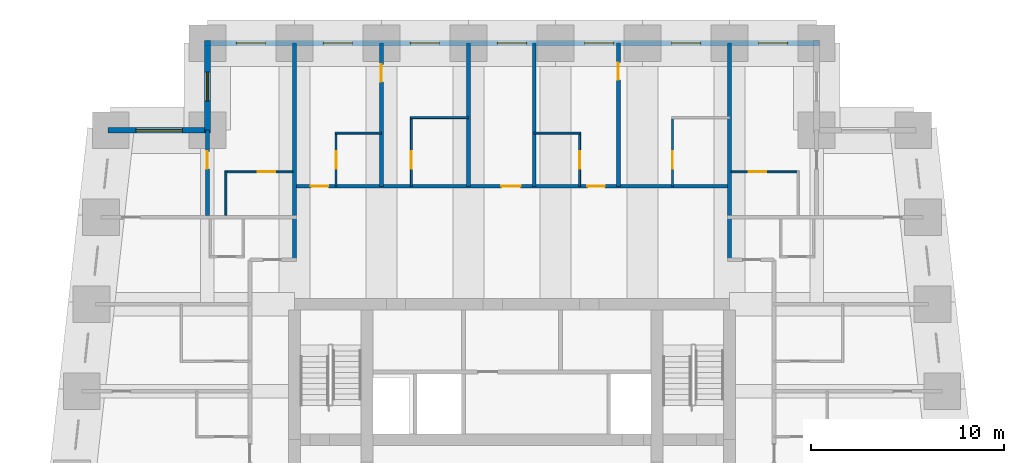
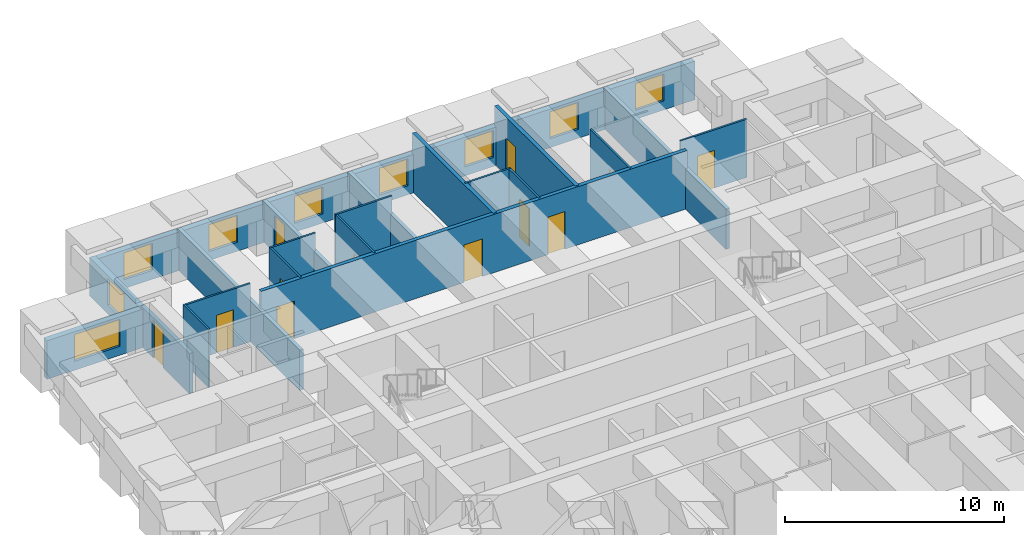
# One storey, part 6 of 8: 21 walls, 12 doors, 9 windows, 21 openings.
"""IFC4 building model written with IfcOpenShell, lengths in metres."""

from ifc_helpers import new_model, si_unit, direction, frame, frame_2d, origin, place, context, subcontext, project, spatial, rectangle, extrude, material, layer, layer_set, type_object, element, fill, save


model = new_model("IFC4")

# Units and contexts
model_context = context("Model", 3, precision=1e-05, world=origin(), true_north=direction((0.0, 1.0)))
body_context = subcontext(model_context, "Body", "Model", "MODEL_VIEW")
ifc_project = project(units=[si_unit("LENGTHUNIT", "METRE"), si_unit("AREAUNIT", "SQUARE_METRE"), si_unit("VOLUMEUNIT", "CUBIC_METRE"), si_unit("PLANEANGLEUNIT", "RADIAN"), si_unit("MASSUNIT", "GRAM", prefix="KILO")], contexts=[model_context])

# Site, building, storey
site_placement = place(None, origin())
site = spatial("IfcSite", under=ifc_project, at=site_placement, CompositionType="ELEMENT")
building_placement = place(site_placement, origin())
building = spatial("IfcBuilding", under=site, at=building_placement, Name="Kilele Tower Hotel", CompositionType="ELEMENT")
storey_placement = place(building_placement, frame((0.0, 0.0, 138.89990234375)))
storey = spatial("IfcBuildingStorey", under=building, at=storey_placement, Name="L36", CompositionType="ELEMENT", Elevation=138.89990234375)

# Wall
ifc_material_1 = material(Name="Moisture-resistant board")
ifc_layer_1 = layer(ifc_material_1, 0.10009765625)
ifc_layer_set_1 = layer_set([ifc_layer_1], Name="Moisture-resistant board")
wall_type_1 = type_object("IfcWallType", Name="Bathroom partition 100", PredefinedType="PLUMBINGWALL", material=ifc_layer_set_1)
wall_1_placement = place(storey_placement, frame((15.60009765625, 35.85009765625, 0.0), z_axis=(0.0, 0.0, 1.0), x_axis=(1.0, 0.0, 0.0)))
element("IfcWall", 1, at=wall_1_placement, inside=storey, type_object=wall_type_1, Name="Bathroom partition 100 L36", PredefinedType="PLUMBINGWALL", context=body_context, shape_type="SweptSolid", body=[
    extrude(rectangle(XDim=2.39990234375, YDim=0.10009765625, at=frame_2d((1.199951171875, 0.0))), origin(), (0.0, 0.0, 1.0), 3.25),
])

# Wall, opening, door
wall_2_placement = place(storey_placement, frame((15.64990234375, 33.10009765625, 0.0), z_axis=(0.0, 0.0, 1.0), x_axis=(0.0, 1.0, 0.0)))
wall_2 = element("IfcWall", 2, at=wall_2_placement, inside=storey, type_object=wall_type_1, Name="Bathroom partition 100 L36", PredefinedType="PLUMBINGWALL", context=body_context, shape_type="SweptSolid", body=[
    extrude(rectangle(XDim=2.7998046875, YDim=0.10009765625, at=frame_2d((1.39990234375, 0.0))), origin(), (0.0, 0.0, 1.0), 3.25),
])
opening_1_placement = place(wall_2_placement, frame((0.89990234375, 0.0, 0.0)))
opening_1 = element("IfcOpeningElement", 3, at=opening_1_placement, cuts=wall_2, Name="Opening D2A", PredefinedType="OPENING", context=body_context, shape_type="SweptSolid", body=[
    extrude(rectangle(XDim=0.89990234375, YDim=2.10009765625, at=frame_2d((0.449951171875, 1.050048828125))), frame((0.0, 0.06005859375, 0.0), z_axis=(0.0, -1.0, 0.0), x_axis=(1.0, 0.0, 0.0)), (0.0, 0.0, 1.0), 0.1201171875),
])
ifc_material_2 = material(Name="Timber door leaf in hardwood frame", Category="wood")
door_type_1 = type_object("IfcDoorType", Name="Bathroom door 900", OperationType="SINGLE_SWING_LEFT", PredefinedType="DOOR", material=ifc_material_2)
door_1_placement = place(opening_1_placement, origin())
door_1 = element("IfcDoor", 4, at=door_1_placement, inside=storey, type_object=door_type_1, Name="Bathroom door 3609B", OperationType="SINGLE_SWING_LEFT", OverallHeight=2.10009765625, OverallWidth=0.89990234375, PredefinedType="DOOR", context=body_context, shape_type="SweptSolid", body=[
    extrude(rectangle(XDim=0.89990234375, YDim=2.10009765625, at=frame_2d((0.449951171875, 1.050048828125))), frame((0.0, 0.02490234375, 0.0), z_axis=(0.0, -1.0, 0.0), x_axis=(1.0, 0.0, 0.0)), (0.0, 0.0, 1.0), 0.050048828125),
])
fill(opening_1, door_1)

# Wall
wall_3_placement = place(storey_placement, frame((19.5, 36.64990234375, 0.0), z_axis=(0.0, 0.0, 1.0), x_axis=(1.0, 0.0, 0.0)))
element("IfcWall", 5, at=wall_3_placement, inside=storey, type_object=wall_type_1, Name="Bathroom partition 100 L36", PredefinedType="PLUMBINGWALL", context=body_context, shape_type="SweptSolid", body=[
    extrude(rectangle(XDim=3.0, YDim=0.10009765625, at=frame_2d((1.5, 0.0))), origin(), (0.0, 0.0, 1.0), 3.25),
])

# Wall, opening, door
wall_4_placement = place(storey_placement, frame((19.550048828125, 33.10009765625, 0.0), z_axis=(0.0, 0.0, 1.0), x_axis=(0.0, 1.0, 0.0)))
wall_4 = element("IfcWall", 6, at=wall_4_placement, inside=storey, type_object=wall_type_1, Name="Bathroom partition 100 L36", PredefinedType="PLUMBINGWALL", context=body_context, shape_type="SweptSolid", body=[
    extrude(rectangle(XDim=3.599853515625, YDim=0.10009765625, at=frame_2d((1.7998046875, 0.0))), origin(), (0.0, 0.0, 1.0), 3.25),
])
opening_2_placement = place(wall_4_placement, frame((0.89990234375, 0.0, 0.0)))
opening_2 = element("IfcOpeningElement", 7, at=opening_2_placement, cuts=wall_4, Name="Opening D2A", PredefinedType="OPENING", context=body_context, shape_type="SweptSolid", body=[
    extrude(rectangle(XDim=0.89990234375, YDim=2.10009765625, at=frame_2d((0.449951171875, 1.050048828125))), frame((0.0, 0.06005859375, 0.0), z_axis=(0.0, -1.0, 0.0), x_axis=(1.0, 0.0, 0.0)), (0.0, 0.0, 1.0), 0.1201171875),
])
door_2_placement = place(opening_2_placement, origin())
door_2 = element("IfcDoor", 8, at=door_2_placement, inside=storey, type_object=door_type_1, Name="Bathroom door 3610B", OperationType="SINGLE_SWING_LEFT", OverallHeight=2.10009765625, OverallWidth=0.89990234375, PredefinedType="DOOR", context=body_context, shape_type="SweptSolid", body=[
    extrude(rectangle(XDim=0.89990234375, YDim=2.10009765625, at=frame_2d((0.449951171875, 1.050048828125))), frame((0.0, 0.02490234375, 0.0), z_axis=(0.0, -1.0, 0.0), x_axis=(1.0, 0.0, 0.0)), (0.0, 0.0, 1.0), 0.050048828125),
])
fill(opening_2, door_2)

# Wall
wall_5_placement = place(storey_placement, frame((25.89990234375, 35.85009765625, 0.0), z_axis=(0.0, 0.0, 1.0), x_axis=(1.0, 0.0, 0.0)))
element("IfcWall", 9, at=wall_5_placement, inside=storey, type_object=wall_type_1, Name="Bathroom partition 100 L36", PredefinedType="PLUMBINGWALL", context=body_context, shape_type="SweptSolid", body=[
    extrude(rectangle(XDim=2.400146484375, YDim=0.10009765625, at=frame_2d((1.2001953125, 0.0))), origin(), (0.0, 0.0, 1.0), 3.25),
])

# Wall, opening, door
wall_6_placement = place(storey_placement, frame((28.25, 33.10009765625, 0.0), z_axis=(0.0, 0.0, 1.0), x_axis=(0.0, 1.0, 0.0)))
wall_6 = element("IfcWall", 10, at=wall_6_placement, inside=storey, type_object=wall_type_1, Name="Bathroom partition 100 L36", PredefinedType="PLUMBINGWALL", context=body_context, shape_type="SweptSolid", body=[
    extrude(rectangle(XDim=2.7998046875, YDim=0.10009765625, at=frame_2d((1.39990234375, 0.0))), origin(), (0.0, 0.0, 1.0), 3.25),
])
opening_3_placement = place(wall_6_placement, frame((1.7998046875, 0.0, 0.0), z_axis=(0.0, 0.0, 1.0), x_axis=(-1.0, 0.0, 0.0)))
opening_3 = element("IfcOpeningElement", 11, at=opening_3_placement, cuts=wall_6, Name="Opening D2A", PredefinedType="OPENING", context=body_context, shape_type="SweptSolid", body=[
    extrude(rectangle(XDim=0.89990234375, YDim=2.10009765625, at=frame_2d((0.449951171875, 1.050048828125))), frame((0.0, 0.06005859375, 0.0), z_axis=(0.0, -1.0, 0.0), x_axis=(1.0, 0.0, 0.0)), (0.0, 0.0, 1.0), 0.1201171875),
])
door_3_placement = place(opening_3_placement, origin())
door_3 = element("IfcDoor", 12, at=door_3_placement, inside=storey, type_object=door_type_1, Name="Bathroom door 3612B", OperationType="SINGLE_SWING_RIGHT", OverallHeight=2.10009765625, OverallWidth=0.89990234375, PredefinedType="DOOR", context=body_context, shape_type="SweptSolid", body=[
    extrude(rectangle(XDim=0.89990234375, YDim=2.10009765625, at=frame_2d((0.449951171875, 1.050048828125))), frame((0.0, 0.02490234375, 0.0), z_axis=(0.0, -1.0, 0.0), x_axis=(1.0, 0.0, 0.0)), (0.0, 0.0, 1.0), 0.050048828125),
])
fill(opening_3, door_3)

wall_7_placement = place(storey_placement, frame((33.050048828125, 33.10009765625, 0.0), z_axis=(0.0, 0.0, 1.0), x_axis=(0.0, 1.0, 0.0)))
wall_7 = element("IfcWall", 13, at=wall_7_placement, inside=storey, type_object=wall_type_1, Name="Bathroom partition 100 L36", PredefinedType="PLUMBINGWALL", context=body_context, shape_type="SweptSolid", body=[
    extrude(rectangle(XDim=3.599853515625, YDim=0.10009765625, at=frame_2d((1.7998046875, 0.0))), origin(), (0.0, 0.0, 1.0), 3.25),
])
opening_4_placement = place(wall_7_placement, frame((0.89990234375, 0.0, 0.0)))
opening_4 = element("IfcOpeningElement", 14, at=opening_4_placement, cuts=wall_7, Name="Opening D2A", PredefinedType="OPENING", context=body_context, shape_type="SweptSolid", body=[
    extrude(rectangle(XDim=0.89990234375, YDim=2.10009765625, at=frame_2d((0.449951171875, 1.050048828125))), frame((0.0, 0.06005859375, 0.0), z_axis=(0.0, -1.0, 0.0), x_axis=(1.0, 0.0, 0.0)), (0.0, 0.0, 1.0), 0.1201171875),
])
door_4_placement = place(opening_4_placement, origin())
door_4 = element("IfcDoor", 15, at=door_4_placement, inside=storey, type_object=door_type_1, Name="Bathroom door 3613B", OperationType="SINGLE_SWING_LEFT", OverallHeight=2.10009765625, OverallWidth=0.89990234375, PredefinedType="DOOR", context=body_context, shape_type="SweptSolid", body=[
    extrude(rectangle(XDim=0.89990234375, YDim=2.10009765625, at=frame_2d((0.449951171875, 1.050048828125))), frame((0.0, 0.02490234375, 0.0), z_axis=(0.0, -1.0, 0.0), x_axis=(1.0, 0.0, 0.0)), (0.0, 0.0, 1.0), 0.050048828125),
])
fill(opening_4, door_4)

wall_8_placement = place(storey_placement, frame((36.10009765625, 33.85009765625, 0.0), z_axis=(0.0, 0.0, 1.0), x_axis=(1.0, 0.0, 0.0)))
wall_8 = element("IfcWall", 16, at=wall_8_placement, inside=storey, type_object=wall_type_1, Name="Bathroom partition 100 L36", PredefinedType="PLUMBINGWALL", context=body_context, shape_type="SweptSolid", body=[
    extrude(rectangle(XDim=3.5, YDim=0.10009765625, at=frame_2d((1.75, 0.0))), origin(), (0.0, 0.0, 1.0), 3.25),
])
opening_5_placement = place(wall_8_placement, frame((0.89990234375, 0.0, 0.0)))
opening_5 = element("IfcOpeningElement", 17, at=opening_5_placement, cuts=wall_8, Name="Opening D2A", PredefinedType="OPENING", context=body_context, shape_type="SweptSolid", body=[
    extrude(rectangle(XDim=0.89990234375, YDim=2.10009765625, at=frame_2d((0.449951171875, 1.050048828125))), frame((0.0, 0.06005859375, 0.0), z_axis=(0.0, -1.0, 0.0), x_axis=(1.0, 0.0, 0.0)), (0.0, 0.0, 1.0), 0.1201171875),
])
door_5_placement = place(opening_5_placement, origin())
door_5 = element("IfcDoor", 18, at=door_5_placement, inside=storey, type_object=door_type_1, Name="Bathroom door 3624B", OperationType="SINGLE_SWING_LEFT", OverallHeight=2.10009765625, OverallWidth=0.89990234375, PredefinedType="DOOR", context=body_context, shape_type="SweptSolid", body=[
    extrude(rectangle(XDim=0.89990234375, YDim=2.10009765625, at=frame_2d((0.449951171875, 1.050048828125))), frame((0.0, 0.02490234375, 0.0), z_axis=(0.0, -1.0, 0.0), x_axis=(1.0, 0.0, 0.0)), (0.0, 0.0, 1.0), 0.050048828125),
])
fill(opening_5, door_5)

# Wall
wall_9_placement = place(storey_placement, frame((9.949951171875, 31.60009765625, 0.0), z_axis=(0.0, 0.0, 1.0), x_axis=(0.0, 1.0, 0.0)))
element("IfcWall", 19, at=wall_9_placement, inside=storey, type_object=wall_type_1, Name="Bathroom partition 100 L36", PredefinedType="PLUMBINGWALL", context=body_context, shape_type="SweptSolid", body=[
    extrude(rectangle(XDim=2.2998046875, YDim=0.10009765625, at=frame_2d((1.14990234375, 0.0))), origin(), (0.0, 0.0, 1.0), 3.25),
])

# Wall, opening, door
wall_10_placement = place(storey_placement, frame((13.39990234375, 33.85009765625, 0.0), z_axis=(0.0, 0.0, 1.0), x_axis=(-1.0, 0.0, 0.0)))
wall_10 = element("IfcWall", 20, at=wall_10_placement, inside=storey, type_object=wall_type_1, Name="Bathroom partition 100 L36", PredefinedType="PLUMBINGWALL", context=body_context, shape_type="SweptSolid", body=[
    extrude(rectangle(XDim=3.5, YDim=0.10009765625, at=frame_2d((1.75, 0.0))), origin(), (0.0, 0.0, 1.0), 3.25),
])
opening_6_placement = place(wall_10_placement, frame((1.7998046875, 0.0, 0.0), z_axis=(0.0, 0.0, 1.0), x_axis=(-1.0, 0.0, 0.0)))
opening_6 = element("IfcOpeningElement", 21, at=opening_6_placement, cuts=wall_10, Name="Opening D2A", PredefinedType="OPENING", context=body_context, shape_type="SweptSolid", body=[
    extrude(rectangle(XDim=0.89990234375, YDim=2.10009765625, at=frame_2d((0.449951171875, 1.050048828125))), frame((0.0, 0.06005859375, 0.0), z_axis=(0.0, -1.0, 0.0), x_axis=(1.0, 0.0, 0.0)), (0.0, 0.0, 1.0), 0.1201171875),
])
door_6_placement = place(opening_6_placement, origin())
door_6 = element("IfcDoor", 22, at=door_6_placement, inside=storey, type_object=door_type_1, Name="Bathroom door 3627B", OperationType="SINGLE_SWING_RIGHT", OverallHeight=2.10009765625, OverallWidth=0.89990234375, PredefinedType="DOOR", context=body_context, shape_type="SweptSolid", body=[
    extrude(rectangle(XDim=0.89990234375, YDim=2.10009765625, at=frame_2d((0.449951171875, 1.050048828125))), frame((0.0, 0.02490234375, 0.0), z_axis=(0.0, -1.0, 0.0), x_axis=(1.0, 0.0, 0.0)), (0.0, 0.0, 1.0), 0.050048828125),
])
fill(opening_6, door_6)

# Wall, openings, doors
ifc_material_3 = material(Name="Blockwork, plastered both sides", Category="masonry")
ifc_layer_2 = layer(ifc_material_3, 0.199951171875)
ifc_layer_set_2 = layer_set([ifc_layer_2], Name="Blockwork, plastered both sides")
wall_type_2 = type_object("IfcWallType", Name="Corridor wall 200", PredefinedType="PARTITIONING", material=ifc_layer_set_2)
wall_11_placement = place(storey_placement, frame((13.5, 33.10009765625, 0.0), z_axis=(0.0, 0.0, 1.0), x_axis=(1.0, 0.0, 0.0)))
wall_11 = element("IfcWall", 23, at=wall_11_placement, inside=storey, type_object=wall_type_2, Name="Corridor wall 200 L36", PredefinedType="PARTITIONING", context=body_context, shape_type="SweptSolid", body=[
    extrude(rectangle(XDim=22.5, YDim=0.199951171875, at=frame_2d((11.25, 0.0))), origin(), (0.0, 0.0, 1.0), 3.25),
])
opening_7_placement = place(wall_11_placement, frame((0.85009765625, 0.0, 0.0)))
opening_7 = element("IfcOpeningElement", 24, at=opening_7_placement, cuts=wall_11, Name="Opening D1", PredefinedType="OPENING", context=body_context, shape_type="SweptSolid", body=[
    extrude(rectangle(XDim=0.89990234375, YDim=2.10009765625, at=frame_2d((0.449951171875, 1.050048828125))), frame((0.0, 0.10986328125, 0.0), z_axis=(0.0, -1.0, 0.0), x_axis=(1.0, 0.0, 0.0)), (0.0, 0.0, 1.0), 0.219970703125),
])
opening_8_placement = place(wall_11_placement, frame((10.699951171875, 0.0, 0.0)))
opening_8 = element("IfcOpeningElement", 25, at=opening_8_placement, cuts=wall_11, Name="Opening D8", PredefinedType="OPENING", context=body_context, shape_type="SweptSolid", body=[
    extrude(rectangle(XDim=1.0, YDim=2.10009765625, at=frame_2d((0.5, 1.050048828125))), frame((0.0, 0.10986328125, 0.0), z_axis=(0.0, -1.0, 0.0), x_axis=(1.0, 0.0, 0.0)), (0.0, 0.0, 1.0), 0.219970703125),
])
opening_9_placement = place(wall_11_placement, frame((15.14990234375, 0.0, 0.0)))
opening_9 = element("IfcOpeningElement", 26, at=opening_9_placement, cuts=wall_11, Name="Opening D1", PredefinedType="OPENING", context=body_context, shape_type="SweptSolid", body=[
    extrude(rectangle(XDim=0.89990234375, YDim=2.10009765625, at=frame_2d((0.449951171875, 1.050048828125))), frame((0.0, 0.10986328125, 0.0), z_axis=(0.0, -1.0, 0.0), x_axis=(1.0, 0.0, 0.0)), (0.0, 0.0, 1.0), 0.219970703125),
])
ifc_material_4 = material(Name="Timber door leaf in hardwood frame", Category="wood")
door_type_2 = type_object("IfcDoorType", Name="Door 1000", OperationType="SINGLE_SWING_LEFT", PredefinedType="DOOR", material=ifc_material_4)
door_7_placement = place(opening_8_placement, origin())
door_7 = element("IfcDoor", 27, at=door_7_placement, inside=storey, type_object=door_type_2, Name="Room entrance 3611", OperationType="SINGLE_SWING_RIGHT", OverallHeight=2.10009765625, OverallWidth=1.0, PredefinedType="DOOR", context=body_context, shape_type="SweptSolid", body=[
    extrude(rectangle(XDim=1.0, YDim=2.10009765625, at=frame_2d((0.5, 1.050048828125))), frame((0.0, 0.02490234375, 0.0), z_axis=(0.0, -1.0, 0.0), x_axis=(1.0, 0.0, 0.0)), (0.0, 0.0, 1.0), 0.050048828125),
])
fill(opening_8, door_7)
ifc_material_5 = material(Name="Timber door leaf in hardwood frame", Category="wood")
door_type_3 = type_object("IfcDoorType", Name="Guest room entrance door 900", OperationType="SINGLE_SWING_LEFT", PredefinedType="DOOR", material=ifc_material_5)
door_8_placement = place(opening_7_placement, origin())
door_8 = element("IfcDoor", 28, at=door_8_placement, inside=storey, type_object=door_type_3, Name="Room entrance 3609", OperationType="SINGLE_SWING_RIGHT", OverallHeight=2.10009765625, OverallWidth=0.89990234375, PredefinedType="DOOR", context=body_context, shape_type="SweptSolid", body=[
    extrude(rectangle(XDim=0.89990234375, YDim=2.10009765625, at=frame_2d((0.449951171875, 1.050048828125))), frame((0.0, 0.02490234375, 0.0), z_axis=(0.0, -1.0, 0.0), x_axis=(1.0, 0.0, 0.0)), (0.0, 0.0, 1.0), 0.050048828125),
])
fill(opening_7, door_8)
door_9_placement = place(opening_9_placement, origin())
door_9 = element("IfcDoor", 29, at=door_9_placement, inside=storey, type_object=door_type_3, Name="Room entrance 3612", OperationType="SINGLE_SWING_LEFT", OverallHeight=2.10009765625, OverallWidth=0.89990234375, PredefinedType="DOOR", context=body_context, shape_type="SweptSolid", body=[
    extrude(rectangle(XDim=0.89990234375, YDim=2.10009765625, at=frame_2d((0.449951171875, 1.050048828125))), frame((0.0, 0.02490234375, 0.0), z_axis=(0.0, -1.0, 0.0), x_axis=(1.0, 0.0, 0.0)), (0.0, 0.0, 1.0), 0.050048828125),
])
fill(opening_9, door_9)

# Wall, opening, door
ifc_material_6 = material(Name="Blockwork, plastered both sides", Category="masonry")
ifc_layer_3 = layer(ifc_material_6, 0.199951171875)
ifc_layer_set_3 = layer_set([ifc_layer_3], Name="Blockwork, plastered both sides")
wall_type_3 = type_object("IfcWallType", Name="Partition wall 200", PredefinedType="PARTITIONING", material=ifc_layer_set_3)
wall_12_placement = place(storey_placement, frame((9.0, 31.60009765625, 0.0), z_axis=(0.0, 0.0, 1.0), x_axis=(0.0, 1.0, 0.0)))
wall_12 = element("IfcWall", 30, at=wall_12_placement, inside=storey, type_object=wall_type_3, Name="Partition wall 200 L36", PredefinedType="PARTITIONING", context=body_context, shape_type="SweptSolid", body=[
    extrude(rectangle(XDim=4.39990234375, YDim=0.199951171875, at=frame_2d((2.199951171875, 0.0))), origin(), (0.0, 0.0, 1.0), 2.25),
])
opening_10_placement = place(wall_12_placement, frame((3.2998046875, 0.0, 0.0), z_axis=(0.0, 0.0, 1.0), x_axis=(-1.0, 0.0, 0.0)))
opening_10 = element("IfcOpeningElement", 31, at=opening_10_placement, cuts=wall_12, Name="Opening D3", PredefinedType="OPENING", context=body_context, shape_type="SweptSolid", body=[
    extrude(rectangle(XDim=0.89990234375, YDim=2.10009765625, at=frame_2d((0.449951171875, 1.050048828125))), frame((0.0, 0.10986328125, 0.0), z_axis=(0.0, -1.0, 0.0), x_axis=(1.0, 0.0, 0.0)), (0.0, 0.0, 1.0), 0.219970703125),
])
ifc_material_7 = material(Name="Timber door leaf in hardwood frame", Category="wood")
door_type_4 = type_object("IfcDoorType", Name="Suite internal door 900", OperationType="SINGLE_SWING_LEFT", PredefinedType="DOOR", material=ifc_material_7)
door_10_placement = place(opening_10_placement, origin())
door_10 = element("IfcDoor", 32, at=door_10_placement, inside=storey, type_object=door_type_4, Name="Suite door 3628", OperationType="SINGLE_SWING_RIGHT", OverallHeight=2.10009765625, OverallWidth=0.89990234375, PredefinedType="DOOR", context=body_context, shape_type="SweptSolid", body=[
    extrude(rectangle(XDim=0.89990234375, YDim=2.10009765625, at=frame_2d((0.449951171875, 1.050048828125))), frame((0.0, 0.02490234375, 0.0), z_axis=(0.0, -1.0, 0.0), x_axis=(1.0, 0.0, 0.0)), (0.0, 0.0, 1.0), 0.050048828125),
])
fill(opening_10, door_10)

ifc_material_8 = material(Name="Blockwork, plastered both sides", Category="masonry")
ifc_layer_4 = layer(ifc_material_8, 0.199951171875)
ifc_layer_set_4 = layer_set([ifc_layer_4], Name="Blockwork, plastered both sides")
wall_type_4 = type_object("IfcWallType", Name="Party wall 200", PredefinedType="PARTITIONING", material=ifc_layer_set_4)
wall_13_placement = place(storey_placement, frame((18.0, 33.10009765625, 0.0), z_axis=(0.0, 0.0, 1.0), x_axis=(0.0, 1.0, 0.0)))
wall_13 = element("IfcWall", 33, at=wall_13_placement, inside=storey, type_object=wall_type_4, Name="Party wall 200 L36", PredefinedType="PARTITIONING", context=body_context, shape_type="SweptSolid", body=[
    extrude(rectangle(XDim=7.39990234375, YDim=0.199951171875, at=frame_2d((3.699951171875, 0.0))), origin(), (0.0, 0.0, 1.0), 2.25),
])
opening_11_placement = place(wall_13_placement, frame((5.39990234375, 0.0, 0.0)))
opening_11 = element("IfcOpeningElement", 34, at=opening_11_placement, cuts=wall_13, Name="Opening D3", PredefinedType="OPENING", context=body_context, shape_type="SweptSolid", body=[
    extrude(rectangle(XDim=0.89990234375, YDim=2.10009765625, at=frame_2d((0.449951171875, 1.050048828125))), frame((0.0, 0.10986328125, 0.0), z_axis=(0.0, -1.0, 0.0), x_axis=(1.0, 0.0, 0.0)), (0.0, 0.0, 1.0), 0.219970703125),
])
door_11_placement = place(opening_11_placement, origin())
door_11 = element("IfcDoor", 35, at=door_11_placement, inside=storey, type_object=door_type_4, Name="Suite door 3610", OperationType="SINGLE_SWING_RIGHT", OverallHeight=2.10009765625, OverallWidth=0.89990234375, PredefinedType="DOOR", context=body_context, shape_type="SweptSolid", body=[
    extrude(rectangle(XDim=0.89990234375, YDim=2.10009765625, at=frame_2d((0.449951171875, 1.050048828125))), frame((0.0, 0.02490234375, 0.0), z_axis=(0.0, -1.0, 0.0), x_axis=(1.0, 0.0, 0.0)), (0.0, 0.0, 1.0), 0.050048828125),
])
fill(opening_11, door_11)

# Walls
wall_14_placement = place(storey_placement, frame((22.5, 33.10009765625, 0.0), z_axis=(0.0, 0.0, 1.0), x_axis=(0.0, 1.0, 0.0)))
element("IfcWall", 36, at=wall_14_placement, inside=storey, type_object=wall_type_4, Name="Party wall 200 L36", PredefinedType="PARTITIONING", context=body_context, shape_type="SweptSolid", body=[
    extrude(rectangle(XDim=7.39990234375, YDim=0.199951171875, at=frame_2d((3.699951171875, 0.0))), origin(), (0.0, 0.0, 1.0), 2.25),
])
wall_15_placement = place(storey_placement, frame((25.89990234375, 33.10009765625, 0.0), z_axis=(0.0, 0.0, 1.0), x_axis=(0.0, 1.0, 0.0)))
element("IfcWall", 37, at=wall_15_placement, inside=storey, type_object=wall_type_4, Name="Party wall 200 L36", PredefinedType="PARTITIONING", context=body_context, shape_type="SweptSolid", body=[
    extrude(rectangle(XDim=7.39990234375, YDim=0.199951171875, at=frame_2d((3.699951171875, 0.0))), origin(), (0.0, 0.0, 1.0), 3.25),
])

# Wall, opening, door
wall_16_placement = place(storey_placement, frame((30.25, 33.10009765625, 0.0), z_axis=(0.0, 0.0, 1.0), x_axis=(0.0, 1.0, 0.0)))
wall_16 = element("IfcWall", 38, at=wall_16_placement, inside=storey, type_object=wall_type_4, Name="Party wall 200 L36", PredefinedType="PARTITIONING", context=body_context, shape_type="SweptSolid", body=[
    extrude(rectangle(XDim=7.39990234375, YDim=0.199951171875, at=frame_2d((3.699951171875, 0.0))), origin(), (0.0, 0.0, 1.0), 3.25),
])
opening_12_placement = place(wall_16_placement, frame((5.5, 0.0, 0.0)))
opening_12 = element("IfcOpeningElement", 39, at=opening_12_placement, cuts=wall_16, Name="Opening D3", PredefinedType="OPENING", context=body_context, shape_type="SweptSolid", body=[
    extrude(rectangle(XDim=0.89990234375, YDim=2.10009765625, at=frame_2d((0.449951171875, 1.050048828125))), frame((0.0, 0.10986328125, 0.0), z_axis=(0.0, -1.0, 0.0), x_axis=(1.0, 0.0, 0.0)), (0.0, 0.0, 1.0), 0.219970703125),
])
door_12_placement = place(opening_12_placement, origin())
door_12 = element("IfcDoor", 40, at=door_12_placement, inside=storey, type_object=door_type_4, Name="Suite door 3613", OperationType="SINGLE_SWING_RIGHT", OverallHeight=2.10009765625, OverallWidth=0.89990234375, PredefinedType="DOOR", context=body_context, shape_type="SweptSolid", body=[
    extrude(rectangle(XDim=0.89990234375, YDim=2.10009765625, at=frame_2d((0.449951171875, 1.050048828125))), frame((0.0, 0.02490234375, 0.0), z_axis=(0.0, -1.0, 0.0), x_axis=(1.0, 0.0, 0.0)), (0.0, 0.0, 1.0), 0.050048828125),
])
fill(opening_12, door_12)

# Walls
for number, where, z_axis, x_axis, name in (
    (41, (36.0, 29.300048828125, 0.0), (0.0, 0.0, 1.0), (0.0, 1.0, 0.0), "Party wall 200 L36"),
    (42, (13.5, 29.300048828125, 0.0), (0.0, 0.0, 1.0), (0.0, 1.0, 0.0), "Party wall 200 L36"),
):
    element("IfcWall", number, at=place(storey_placement, frame(where, z_axis=z_axis, x_axis=x_axis)), inside=storey, type_object=wall_type_4, Name=name, PredefinedType="PARTITIONING", context=body_context, shape_type="SweptSolid", body=[
        extrude(rectangle(XDim=11.199951171875, YDim=0.199951171875, at=frame_2d((5.60009765625, 0.0))), origin(), (0.0, 0.0, 1.0), 2.25),
    ])

# Wall, openings, windows
ifc_material_9 = material(Name="Concrete C40/50 precast", Category="concrete")
ifc_layer_5 = layer(ifc_material_9, 0.260009765625, Name="Precast backing", Category="LoadBearing")
ifc_material_10 = material(Name="Reconstituted stone finish", Category="masonry")
ifc_layer_6 = layer(ifc_material_10, 0.0400390625, Name="Face mix", Category="Finish")
ifc_layer_set_5 = layer_set([ifc_layer_5, ifc_layer_6], Name="Precast concrete C40/50, reconstituted stone finish")
wall_type_5 = type_object("IfcWallType", Name="Precast stone facade wall 300", PredefinedType="STANDARD", material=ifc_layer_set_5)
wall_17_placement = place(storey_placement, frame((40.64990234375, 40.5, 0.0), z_axis=(0.0, 0.0, 1.0), x_axis=(-1.0, 0.0, 0.0)))
wall_17 = element("IfcWall", 43, at=wall_17_placement, inside=storey, type_object=wall_type_5, Name="Facade wall L36 edge 9", PredefinedType="STANDARD", context=body_context, shape_type="SweptSolid", body=[
    extrude(rectangle(XDim=31.7998046875, YDim=0.300048828125, at=frame_2d((15.89990234375, 0.0))), origin(), (0.0, 0.0, 1.0), 2.150146484375),
])
opening_13_placement = place(wall_17_placement, frame((1.64990234375, 0.0, 0.5)))
opening_13 = element("IfcOpeningElement", 44, at=opening_13_placement, cuts=wall_17, Name="Opening W2", PredefinedType="OPENING", context=body_context, shape_type="SweptSolid", body=[
    extrude(rectangle(XDim=1.5, YDim=1.5, at=frame_2d((0.75, 0.75))), frame((0.0, 0.159912109375, 0.0), z_axis=(0.0, -1.0, 0.0), x_axis=(1.0, 0.0, 0.0)), (0.0, 0.0, 1.0), 0.320068359375),
])
opening_14_placement = place(wall_17_placement, frame((6.14990234375, 0.0, 0.5)))
opening_14 = element("IfcOpeningElement", 45, at=opening_14_placement, cuts=wall_17, Name="Opening W2", PredefinedType="OPENING", context=body_context, shape_type="SweptSolid", body=[
    extrude(rectangle(XDim=1.5, YDim=1.5, at=frame_2d((0.75, 0.75))), frame((0.0, 0.159912109375, 0.0), z_axis=(0.0, -1.0, 0.0), x_axis=(1.0, 0.0, 0.0)), (0.0, 0.0, 1.0), 0.320068359375),
])
opening_15_placement = place(wall_17_placement, frame((10.64990234375, 0.0, 0.5)))
opening_15 = element("IfcOpeningElement", 46, at=opening_15_placement, cuts=wall_17, Name="Opening W2", PredefinedType="OPENING", context=body_context, shape_type="SweptSolid", body=[
    extrude(rectangle(XDim=1.5, YDim=1.5, at=frame_2d((0.75, 0.75))), frame((0.0, 0.159912109375, 0.0), z_axis=(0.0, -1.0, 0.0), x_axis=(1.0, 0.0, 0.0)), (0.0, 0.0, 1.0), 0.320068359375),
])
opening_16_placement = place(wall_17_placement, frame((15.14990234375, 0.0, 0.5)))
opening_16 = element("IfcOpeningElement", 47, at=opening_16_placement, cuts=wall_17, Name="Opening W2", PredefinedType="OPENING", context=body_context, shape_type="SweptSolid", body=[
    extrude(rectangle(XDim=1.5, YDim=1.5, at=frame_2d((0.75, 0.75))), frame((0.0, 0.159912109375, 0.0), z_axis=(0.0, -1.0, 0.0), x_axis=(1.0, 0.0, 0.0)), (0.0, 0.0, 1.0), 0.320068359375),
])
opening_17_placement = place(wall_17_placement, frame((19.64990234375, 0.0, 0.5)))
opening_17 = element("IfcOpeningElement", 48, at=opening_17_placement, cuts=wall_17, Name="Opening W2", PredefinedType="OPENING", context=body_context, shape_type="SweptSolid", body=[
    extrude(rectangle(XDim=1.5, YDim=1.5, at=frame_2d((0.75, 0.75))), frame((0.0, 0.159912109375, 0.0), z_axis=(0.0, -1.0, 0.0), x_axis=(1.0, 0.0, 0.0)), (0.0, 0.0, 1.0), 0.320068359375),
])
opening_18_placement = place(wall_17_placement, frame((24.14990234375, 0.0, 0.5)))
opening_18 = element("IfcOpeningElement", 49, at=opening_18_placement, cuts=wall_17, Name="Opening W2", PredefinedType="OPENING", context=body_context, shape_type="SweptSolid", body=[
    extrude(rectangle(XDim=1.5, YDim=1.5, at=frame_2d((0.75, 0.75))), frame((0.0, 0.159912109375, 0.0), z_axis=(0.0, -1.0, 0.0), x_axis=(1.0, 0.0, 0.0)), (0.0, 0.0, 1.0), 0.320068359375),
])
opening_19_placement = place(wall_17_placement, frame((28.64990234375, 0.0, 0.5)))
opening_19 = element("IfcOpeningElement", 50, at=opening_19_placement, cuts=wall_17, Name="Opening W2", PredefinedType="OPENING", context=body_context, shape_type="SweptSolid", body=[
    extrude(rectangle(XDim=1.5, YDim=1.5, at=frame_2d((0.75, 0.75))), frame((0.0, 0.159912109375, 0.0), z_axis=(0.0, -1.0, 0.0), x_axis=(1.0, 0.0, 0.0)), (0.0, 0.0, 1.0), 0.320068359375),
])
ifc_material_11 = material(Name="Aluminium frame, clear double glazing", Category="aluminium")
window_type_1 = type_object("IfcWindowType", Name="Window W2 1500 x 1500", PartitioningType="SINGLE_PANEL", PredefinedType="WINDOW", material=ifc_material_11)
window_1_placement = place(opening_13_placement, origin())
window_1 = element("IfcWindow", 51, at=window_1_placement, inside=storey, type_object=window_type_1, Name="Window L36", OverallHeight=1.5, OverallWidth=1.5, PartitioningType="SINGLE_PANEL", PredefinedType="WINDOW", context=body_context, shape_type="SweptSolid", body=[
    extrude(rectangle(XDim=1.5, YDim=1.5, at=frame_2d((0.75, 0.75))), frame((0.0, 0.030029296875, 0.0), z_axis=(0.0, -1.0, 0.0), x_axis=(1.0, 0.0, 0.0)), (0.0, 0.0, 1.0), 0.06005859375),
])
fill(opening_13, window_1)
window_2_placement = place(opening_14_placement, origin())
window_2 = element("IfcWindow", 52, at=window_2_placement, inside=storey, type_object=window_type_1, Name="Window L36", OverallHeight=1.5, OverallWidth=1.5, PartitioningType="SINGLE_PANEL", PredefinedType="WINDOW", context=body_context, shape_type="SweptSolid", body=[
    extrude(rectangle(XDim=1.5, YDim=1.5, at=frame_2d((0.75, 0.75))), frame((0.0, 0.030029296875, 0.0), z_axis=(0.0, -1.0, 0.0), x_axis=(1.0, 0.0, 0.0)), (0.0, 0.0, 1.0), 0.06005859375),
])
fill(opening_14, window_2)
window_3_placement = place(opening_15_placement, origin())
window_3 = element("IfcWindow", 53, at=window_3_placement, inside=storey, type_object=window_type_1, Name="Window L36", OverallHeight=1.5, OverallWidth=1.5, PartitioningType="SINGLE_PANEL", PredefinedType="WINDOW", context=body_context, shape_type="SweptSolid", body=[
    extrude(rectangle(XDim=1.5, YDim=1.5, at=frame_2d((0.75, 0.75))), frame((0.0, 0.030029296875, 0.0), z_axis=(0.0, -1.0, 0.0), x_axis=(1.0, 0.0, 0.0)), (0.0, 0.0, 1.0), 0.06005859375),
])
fill(opening_15, window_3)
window_4_placement = place(opening_16_placement, origin())
window_4 = element("IfcWindow", 54, at=window_4_placement, inside=storey, type_object=window_type_1, Name="Window L36", OverallHeight=1.5, OverallWidth=1.5, PartitioningType="SINGLE_PANEL", PredefinedType="WINDOW", context=body_context, shape_type="SweptSolid", body=[
    extrude(rectangle(XDim=1.5, YDim=1.5, at=frame_2d((0.75, 0.75))), frame((0.0, 0.030029296875, 0.0), z_axis=(0.0, -1.0, 0.0), x_axis=(1.0, 0.0, 0.0)), (0.0, 0.0, 1.0), 0.06005859375),
])
fill(opening_16, window_4)
window_5_placement = place(opening_17_placement, origin())
window_5 = element("IfcWindow", 55, at=window_5_placement, inside=storey, type_object=window_type_1, Name="Window L36", OverallHeight=1.5, OverallWidth=1.5, PartitioningType="SINGLE_PANEL", PredefinedType="WINDOW", context=body_context, shape_type="SweptSolid", body=[
    extrude(rectangle(XDim=1.5, YDim=1.5, at=frame_2d((0.75, 0.75))), frame((0.0, 0.030029296875, 0.0), z_axis=(0.0, -1.0, 0.0), x_axis=(1.0, 0.0, 0.0)), (0.0, 0.0, 1.0), 0.06005859375),
])
fill(opening_17, window_5)
window_6_placement = place(opening_18_placement, origin())
window_6 = element("IfcWindow", 56, at=window_6_placement, inside=storey, type_object=window_type_1, Name="Window L36", OverallHeight=1.5, OverallWidth=1.5, PartitioningType="SINGLE_PANEL", PredefinedType="WINDOW", context=body_context, shape_type="SweptSolid", body=[
    extrude(rectangle(XDim=1.5, YDim=1.5, at=frame_2d((0.75, 0.75))), frame((0.0, 0.030029296875, 0.0), z_axis=(0.0, -1.0, 0.0), x_axis=(1.0, 0.0, 0.0)), (0.0, 0.0, 1.0), 0.06005859375),
])
fill(opening_18, window_6)
window_7_placement = place(opening_19_placement, origin())
window_7 = element("IfcWindow", 57, at=window_7_placement, inside=storey, type_object=window_type_1, Name="Window L36", OverallHeight=1.5, OverallWidth=1.5, PartitioningType="SINGLE_PANEL", PredefinedType="WINDOW", context=body_context, shape_type="SweptSolid", body=[
    extrude(rectangle(XDim=1.5, YDim=1.5, at=frame_2d((0.75, 0.75))), frame((0.0, 0.030029296875, 0.0), z_axis=(0.0, -1.0, 0.0), x_axis=(1.0, 0.0, 0.0)), (0.0, 0.0, 1.0), 0.06005859375),
])
fill(opening_19, window_7)

# Wall, opening, window
wall_18_placement = place(storey_placement, frame((9.0, 40.64990234375, 0.0), z_axis=(0.0, 0.0, 1.0), x_axis=(0.0, -1.0, 0.0)))
wall_18 = element("IfcWall", 58, at=wall_18_placement, inside=storey, type_object=wall_type_5, Name="Facade wall L36 edge 10", PredefinedType="STANDARD", context=body_context, shape_type="SweptSolid", body=[
    extrude(rectangle(XDim=4.7998046875, YDim=0.300048828125, at=frame_2d((2.39990234375, 0.0))), origin(), (0.0, 0.0, 1.0), 2.150146484375),
])
opening_20_placement = place(wall_18_placement, frame((1.64990234375, 0.0, 0.5)))
opening_20 = element("IfcOpeningElement", 59, at=opening_20_placement, cuts=wall_18, Name="Opening W2", PredefinedType="OPENING", context=body_context, shape_type="SweptSolid", body=[
    extrude(rectangle(XDim=1.5, YDim=1.5, at=frame_2d((0.75, 0.75))), frame((0.0, 0.159912109375, 0.0), z_axis=(0.0, -1.0, 0.0), x_axis=(1.0, 0.0, 0.0)), (0.0, 0.0, 1.0), 0.320068359375),
])
window_8_placement = place(opening_20_placement, origin())
window_8 = element("IfcWindow", 60, at=window_8_placement, inside=storey, type_object=window_type_1, Name="Window L36", OverallHeight=1.5, OverallWidth=1.5, PartitioningType="SINGLE_PANEL", PredefinedType="WINDOW", context=body_context, shape_type="SweptSolid", body=[
    extrude(rectangle(XDim=1.5, YDim=1.5, at=frame_2d((0.75, 0.75))), frame((0.0, 0.030029296875, 0.0), z_axis=(0.0, -1.0, 0.0), x_axis=(1.0, 0.0, 0.0)), (0.0, 0.0, 1.0), 0.06005859375),
])
fill(opening_20, window_8)

wall_19_placement = place(storey_placement, frame((9.14990234375, 36.0, 0.0), z_axis=(0.0, 0.0, 1.0), x_axis=(-1.0, 0.0, 0.0)))
wall_19 = element("IfcWall", 61, at=wall_19_placement, inside=storey, type_object=wall_type_5, Name="Facade wall L36 edge 11", PredefinedType="STANDARD", context=body_context, shape_type="SweptSolid", body=[
    extrude(rectangle(XDim=5.2998046875, YDim=0.300048828125, at=frame_2d((2.64990234375, 0.0))), origin(), (0.0, 0.0, 1.0), 2.150146484375),
])
opening_21_placement = place(wall_19_placement, frame((1.449951171875, 0.0, 0.5)))
opening_21 = element("IfcOpeningElement", 62, at=opening_21_placement, cuts=wall_19, Name="Opening W2", PredefinedType="OPENING", context=body_context, shape_type="SweptSolid", body=[
    extrude(rectangle(XDim=2.39990234375, YDim=1.5, at=frame_2d((1.199951171875, 0.75))), frame((0.0, 0.159912109375, 0.0), z_axis=(0.0, -1.0, 0.0), x_axis=(1.0, 0.0, 0.0)), (0.0, 0.0, 1.0), 0.320068359375),
])
ifc_material_12 = material(Name="Aluminium frame, clear double glazing", Category="aluminium")
window_type_2 = type_object("IfcWindowType", Name="Window W2 2400 x 1500", PartitioningType="SINGLE_PANEL", PredefinedType="WINDOW", material=ifc_material_12)
window_9_placement = place(opening_21_placement, origin())
window_9 = element("IfcWindow", 63, at=window_9_placement, inside=storey, type_object=window_type_2, Name="Window L36", OverallHeight=1.5, OverallWidth=2.39990234375, PartitioningType="SINGLE_PANEL", PredefinedType="WINDOW", context=body_context, shape_type="SweptSolid", body=[
    extrude(rectangle(XDim=2.39990234375, YDim=1.5, at=frame_2d((1.199951171875, 0.75))), frame((0.0, 0.030029296875, 0.0), z_axis=(0.0, -1.0, 0.0), x_axis=(1.0, 0.0, 0.0)), (0.0, 0.0, 1.0), 0.06005859375),
])
fill(opening_21, window_9)

save(model, "model.ifc")
